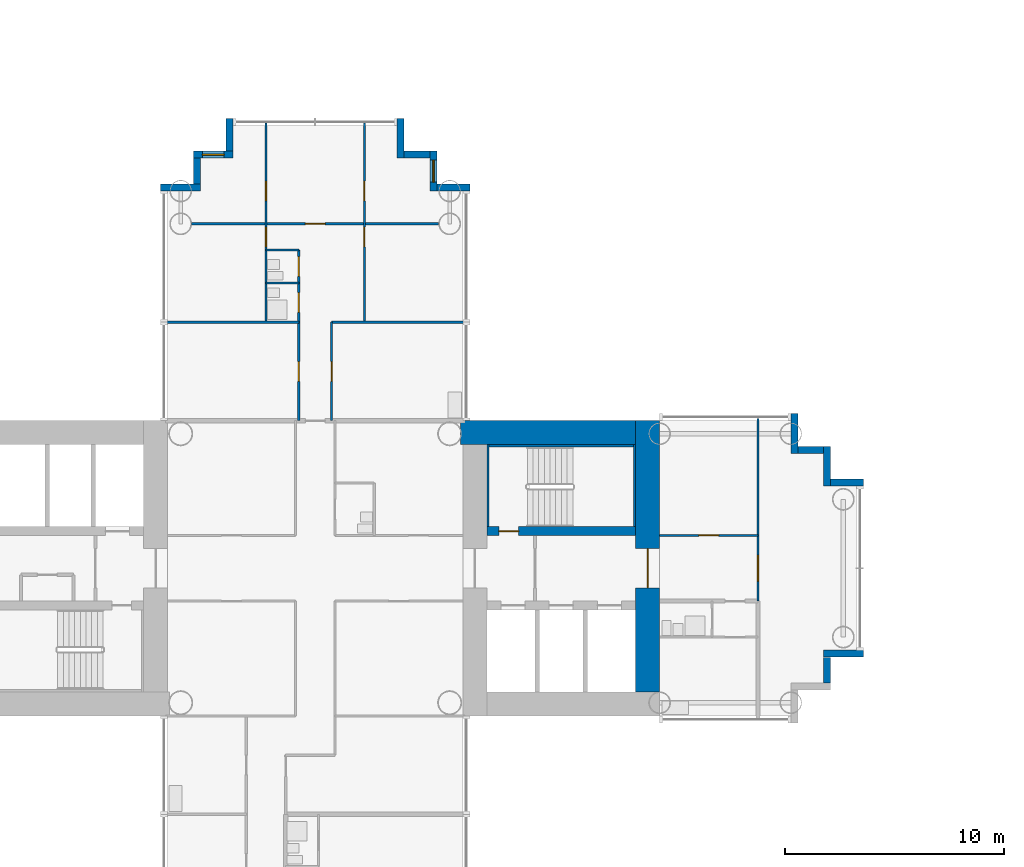
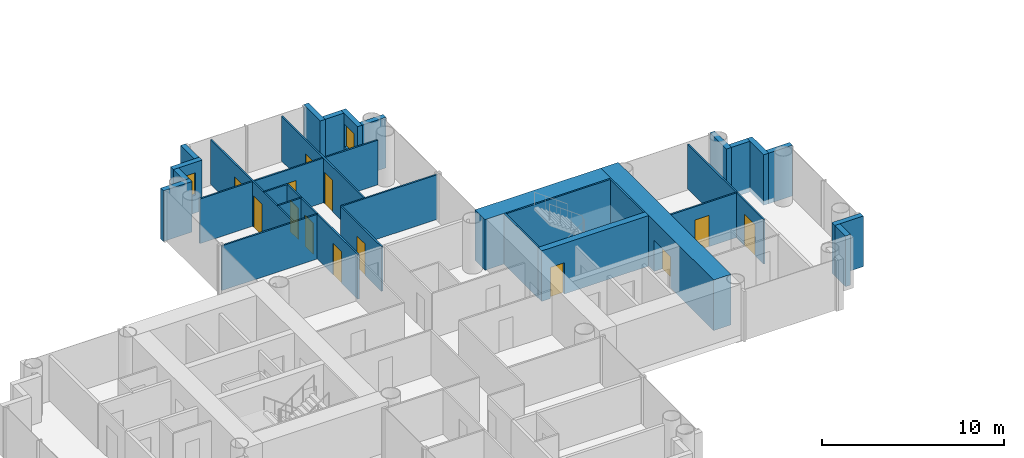
# One storey, part 11 of 21: 31 walls, 13 doors, 2 windows, 15 openings.
"""IFC4 building model written with IfcOpenShell, lengths in metres."""

from ifc_helpers import new_model, si_unit, direction, frame, frame_2d, origin, place, context, subcontext, project, spatial, rectangle, extrude, material, layer, layer_set, type_object, element, fill, save


model = new_model("IFC4")

# Units and contexts
model_context = context("Model", 3, precision=1e-05, world=origin(), true_north=direction((0.0, 1.0)))
body_context = subcontext(model_context, "Body", "Model", "MODEL_VIEW")
ifc_project = project(units=[si_unit("LENGTHUNIT", "METRE"), si_unit("AREAUNIT", "SQUARE_METRE"), si_unit("VOLUMEUNIT", "CUBIC_METRE"), si_unit("PLANEANGLEUNIT", "RADIAN"), si_unit("MASSUNIT", "GRAM", prefix="KILO")], contexts=[model_context])

# Site, building, storey
site_placement = place(None, origin())
site = spatial("IfcSite", under=ifc_project, at=site_placement, CompositionType="ELEMENT")
building_placement = place(site_placement, origin())
building = spatial("IfcBuilding", under=site, at=building_placement, Name="Ipe Terrace Towers", CompositionType="ELEMENT")
storey_placement = place(building_placement, frame((0.0, 0.0, 27.89990234375)))
storey = spatial("IfcBuildingStorey", under=building, at=storey_placement, Name="L06", CompositionType="ELEMENT", Elevation=27.89990234375)

# Walls
ifc_material_1 = material(Name="Concrete C40/50 with buff precast cladding", Category="concrete")
ifc_layer_1 = layer(ifc_material_1, 0.320068359375)
ifc_layer_set_1 = layer_set([ifc_layer_1], Name="BUFF CLADDING WALL 320")
wall_type_1 = type_object("IfcWallType", Name="BUFF CLADDING WALL 320", PredefinedType="STANDARD", material=ifc_layer_set_1)
wall_1_placement = place(storey_placement, frame((-12.590087890625, -5.25, -0.2998046875), z_axis=(0.0, 0.0, 1.0), x_axis=(0.0, 1.0, 0.0)))
element("IfcWall", 1, at=wall_1_placement, inside=storey, type_object=wall_type_1, Name="T1-W-L06-23a wall", PredefinedType="STANDARD", context=body_context, shape_type="SweptSolid", body=[
    extrude(rectangle(XDim=1.179931640625, YDim=0.320068359375, at=frame_2d((0.58984375, 0.0))), origin(), (0.0, 0.0, 1.0), 3.39990234375),
])
wall_2_placement = place(storey_placement, frame((-12.75, -3.909912109375, -0.2998046875), z_axis=(0.0, 0.0, 1.0), x_axis=(1.0, 0.0, 0.0)))
element("IfcWall", 2, at=wall_2_placement, inside=storey, type_object=wall_type_1, Name="T1-W-L06-24a wall", PredefinedType="STANDARD", context=body_context, shape_type="SweptSolid", body=[
    extrude(rectangle(XDim=1.820068359375, YDim=0.320068359375, at=frame_2d((0.91015625, 0.0))), origin(), (0.0, 0.0, 1.0), 3.39990234375),
])
wall_3_placement = place(storey_placement, frame((-10.929931640625, 3.909912109375, -0.2998046875), z_axis=(0.0, 0.0, 1.0), x_axis=(-1.0, 0.0, 0.0)))
element("IfcWall", 3, at=wall_3_placement, inside=storey, type_object=wall_type_1, Name="T1-W-L06-26a wall", PredefinedType="STANDARD", context=body_context, shape_type="SweptSolid", body=[
    extrude(rectangle(XDim=1.5, YDim=0.320068359375, at=frame_2d((0.75, 0.0))), origin(), (0.0, 0.0, 1.0), 3.39990234375),
])
wall_4_placement = place(storey_placement, frame((-12.590087890625, 3.75, -0.2998046875), z_axis=(0.0, 0.0, 1.0), x_axis=(0.0, 1.0, 0.0)))
element("IfcWall", 4, at=wall_4_placement, inside=storey, type_object=wall_type_1, Name="T1-W-L06-27a wall", PredefinedType="STANDARD", context=body_context, shape_type="SweptSolid", body=[
    extrude(rectangle(XDim=1.820068359375, YDim=0.320068359375, at=frame_2d((0.91015625, 0.0))), origin(), (0.0, 0.0, 1.0), 3.39990234375),
])
wall_5_placement = place(storey_placement, frame((-12.75, 5.409912109375, -0.2998046875), z_axis=(0.0, 0.0, 1.0), x_axis=(-1.0, 0.0, 0.0)))
element("IfcWall", 5, at=wall_5_placement, inside=storey, type_object=wall_type_1, Name="T1-W-L06-28a wall", PredefinedType="STANDARD", context=body_context, shape_type="SweptSolid", body=[
    extrude(rectangle(XDim=1.179931640625, YDim=0.320068359375, at=frame_2d((0.58984375, 0.0))), origin(), (0.0, 0.0, 1.0), 3.39990234375),
])
wall_6_placement = place(storey_placement, frame((-14.090087890625, 5.25, -0.2998046875), z_axis=(0.0, 0.0, 1.0), x_axis=(0.0, 1.0, 0.0)))
element("IfcWall", 6, at=wall_6_placement, inside=storey, type_object=wall_type_1, Name="T1-W-L06-29a wall", PredefinedType="STANDARD", context=body_context, shape_type="SweptSolid", body=[
    extrude(rectangle(XDim=1.820068359375, YDim=0.320068359375, at=frame_2d((0.91015625, 0.0))), origin(), (0.0, 0.0, 1.0), 3.39990234375),
])
wall_7_placement = place(storey_placement, frame((-28.929931640625, 17.409912109375, -0.2998046875), z_axis=(0.0, 0.0, 1.0), x_axis=(-1.0, 0.0, 0.0)))
element("IfcWall", 7, at=wall_7_placement, inside=storey, type_object=wall_type_1, Name="T1-W-L06-34a wall", PredefinedType="STANDARD", context=body_context, shape_type="SweptSolid", body=[
    extrude(rectangle(XDim=1.5, YDim=0.320068359375, at=frame_2d((0.75, 0.0))), origin(), (0.0, 0.0, 1.0), 3.39990234375),
])

# Wall, opening, window
wall_8_placement = place(storey_placement, frame((-30.590087890625, 17.25, -0.2998046875), z_axis=(0.0, 0.0, 1.0), x_axis=(0.0, 1.0, 0.0)))
wall_8 = element("IfcWall", 8, at=wall_8_placement, inside=storey, type_object=wall_type_1, Name="T1-W-L06-35a wall", PredefinedType="STANDARD", context=body_context, shape_type="SweptSolid", body=[
    extrude(rectangle(XDim=1.820068359375, YDim=0.320068359375, at=frame_2d((0.91015625, 0.0))), origin(), (0.0, 0.0, 1.0), 3.39990234375),
])
opening_1_placement = place(wall_8_placement, frame((0.409912109375, 0.0, 1.199951171875)))
opening_1 = element("IfcOpeningElement", 9, at=opening_1_placement, cuts=wall_8, Name="Opening T1-W-05-L06-02", PredefinedType="OPENING", context=body_context, shape_type="SweptSolid", body=[
    extrude(rectangle(XDim=1.0, YDim=1.5, at=frame_2d((0.5, 0.75))), frame((0.0, 0.169921875, 0.0), z_axis=(0.0, -1.0, 0.0), x_axis=(1.0, 0.0, 0.0)), (0.0, 0.0, 1.0), 0.340087890625),
])
ifc_material_2 = material(Name="Glass, clear laminated", Category="glass")
window_type = type_object("IfcWindowType", Name="DWELLING WINDOW 1000 x 1500", PartitioningType="SINGLE_PANEL", PredefinedType="WINDOW", material=ifc_material_2)
window_1_placement = place(opening_1_placement, origin())
window_1 = element("IfcWindow", 10, at=window_1_placement, inside=storey, type_object=window_type, Name="W-05 window", OverallHeight=1.5, OverallWidth=1.0, PartitioningType="SINGLE_PANEL", PredefinedType="WINDOW", context=body_context, shape_type="SweptSolid", body=[
    extrude(rectangle(XDim=1.0, YDim=1.5, at=frame_2d((0.5, 0.75))), frame((0.0, 0.030029296875, 0.0), z_axis=(0.0, -1.0, 0.0), x_axis=(1.0, 0.0, 0.0)), (0.0, 0.0, 1.0), 0.06005859375),
])
fill(opening_1, window_1)

# Walls
wall_9_placement = place(storey_placement, frame((-30.75, 18.909912109375, -0.2998046875), z_axis=(0.0, 0.0, 1.0), x_axis=(-1.0, 0.0, 0.0)))
element("IfcWall", 11, at=wall_9_placement, inside=storey, type_object=wall_type_1, Name="T1-W-L06-36a wall", PredefinedType="STANDARD", context=body_context, shape_type="SweptSolid", body=[
    extrude(rectangle(XDim=1.179931640625, YDim=0.320068359375, at=frame_2d((0.58984375, 0.0))), origin(), (0.0, 0.0, 1.0), 3.39990234375),
])
wall_10_placement = place(storey_placement, frame((-32.090087890625, 18.75, -0.2998046875), z_axis=(0.0, 0.0, 1.0), x_axis=(0.0, 1.0, 0.0)))
element("IfcWall", 12, at=wall_10_placement, inside=storey, type_object=wall_type_1, Name="T1-W-L06-37a wall", PredefinedType="STANDARD", context=body_context, shape_type="SweptSolid", body=[
    extrude(rectangle(XDim=1.820068359375, YDim=0.320068359375, at=frame_2d((0.91015625, 0.0))), origin(), (0.0, 0.0, 1.0), 3.39990234375),
])
wall_11_placement = place(storey_placement, frame((-39.909912109375, 20.570068359375, -0.2998046875), z_axis=(0.0, 0.0, 1.0), x_axis=(0.0, -1.0, 0.0)))
element("IfcWall", 13, at=wall_11_placement, inside=storey, type_object=wall_type_1, Name="T1-W-L06-39a wall", PredefinedType="STANDARD", context=body_context, shape_type="SweptSolid", body=[
    extrude(rectangle(XDim=1.5, YDim=0.320068359375, at=frame_2d((0.75, 0.0))), origin(), (0.0, 0.0, 1.0), 3.39990234375),
])

# Wall, opening, window
wall_12_placement = place(storey_placement, frame((-39.75, 18.909912109375, -0.2998046875), z_axis=(0.0, 0.0, 1.0), x_axis=(-1.0, 0.0, 0.0)))
wall_12 = element("IfcWall", 14, at=wall_12_placement, inside=storey, type_object=wall_type_1, Name="T1-W-L06-40a wall", PredefinedType="STANDARD", context=body_context, shape_type="SweptSolid", body=[
    extrude(rectangle(XDim=1.820068359375, YDim=0.320068359375, at=frame_2d((0.91015625, 0.0))), origin(), (0.0, 0.0, 1.0), 3.39990234375),
])
opening_2_placement = place(wall_12_placement, frame((0.409912109375, 0.0, 1.199951171875)))
opening_2 = element("IfcOpeningElement", 15, at=opening_2_placement, cuts=wall_12, Name="Opening T1-W-05-L06-01", PredefinedType="OPENING", context=body_context, shape_type="SweptSolid", body=[
    extrude(rectangle(XDim=1.0, YDim=1.5, at=frame_2d((0.5, 0.75))), frame((0.0, 0.169921875, 0.0), z_axis=(0.0, -1.0, 0.0), x_axis=(1.0, 0.0, 0.0)), (0.0, 0.0, 1.0), 0.340087890625),
])
window_2_placement = place(opening_2_placement, origin())
window_2 = element("IfcWindow", 16, at=window_2_placement, inside=storey, type_object=window_type, Name="W-05 window", OverallHeight=1.5, OverallWidth=1.0, PartitioningType="SINGLE_PANEL", PredefinedType="WINDOW", context=body_context, shape_type="SweptSolid", body=[
    extrude(rectangle(XDim=1.0, YDim=1.5, at=frame_2d((0.5, 0.75))), frame((0.0, 0.030029296875, 0.0), z_axis=(0.0, -1.0, 0.0), x_axis=(1.0, 0.0, 0.0)), (0.0, 0.0, 1.0), 0.06005859375),
])
fill(opening_2, window_2)

# Walls
wall_13_placement = place(storey_placement, frame((-41.409912109375, 18.75, -0.2998046875), z_axis=(0.0, 0.0, 1.0), x_axis=(0.0, -1.0, 0.0)))
element("IfcWall", 17, at=wall_13_placement, inside=storey, type_object=wall_type_1, Name="T1-W-L06-41a wall", PredefinedType="STANDARD", context=body_context, shape_type="SweptSolid", body=[
    extrude(rectangle(XDim=1.179931640625, YDim=0.320068359375, at=frame_2d((0.58984375, 0.0))), origin(), (0.0, 0.0, 1.0), 3.39990234375),
])
wall_14_placement = place(storey_placement, frame((-41.25, 17.409912109375, -0.2998046875), z_axis=(0.0, 0.0, 1.0), x_axis=(-1.0, 0.0, 0.0)))
element("IfcWall", 18, at=wall_14_placement, inside=storey, type_object=wall_type_1, Name="T1-W-L06-42a wall", PredefinedType="STANDARD", context=body_context, shape_type="SweptSolid", body=[
    extrude(rectangle(XDim=1.820068359375, YDim=0.320068359375, at=frame_2d((0.91015625, 0.0))), origin(), (0.0, 0.0, 1.0), 3.39990234375),
])

# Wall, openings, doors
ifc_material_3 = material(Name="Gypsum board partition", Category="plasterboard")
ifc_layer_2 = layer(ifc_material_3, 0.10009765625)
ifc_layer_set_2 = layer_set([ifc_layer_2], Name="Gypsum board partition 100 mm")
wall_type_2 = type_object("IfcWallType", Name="Gypsum board partition 100 mm", PredefinedType="PARTITIONING", material=ifc_layer_set_2)
wall_15_placement = place(storey_placement, frame((-38.25, 11.25, 0.0), z_axis=(0.0, 0.0, 1.0), x_axis=(0.0, 1.0, 0.0)))
wall_15 = element("IfcWall", 19, at=wall_15_placement, inside=storey, type_object=wall_type_2, Name="Gypsum board partition T1 L06 W07", PredefinedType="PARTITIONING", context=body_context, shape_type="SweptSolid", body=[
    extrude(rectangle(XDim=9.10009765625, YDim=0.10009765625, at=frame_2d((4.550048828125, 0.0))), origin(), (0.0, 0.0, 1.0), 3.0),
])
opening_3_placement = place(wall_15_placement, frame((3.449951171875, 0.0, 0.0)))
opening_3 = element("IfcOpeningElement", 20, at=opening_3_placement, cuts=wall_15, Name="Opening T1-Z1A-11", PredefinedType="OPENING", context=body_context, shape_type="SweptSolid", body=[
    extrude(rectangle(XDim=0.89990234375, YDim=2.10009765625, at=frame_2d((0.449951171875, 1.050048828125))), frame((0.0, 0.06005859375, 0.0), z_axis=(0.0, -1.0, 0.0), x_axis=(1.0, 0.0, 0.0)), (0.0, 0.0, 1.0), 0.1201171875),
])
opening_4_placement = place(wall_15_placement, frame((5.550048828125, 0.0, 0.0)))
opening_4 = element("IfcOpeningElement", 21, at=opening_4_placement, cuts=wall_15, Name="Opening T1-Z1A-14", PredefinedType="OPENING", context=body_context, shape_type="SweptSolid", body=[
    extrude(rectangle(XDim=0.89990234375, YDim=2.10009765625, at=frame_2d((0.449951171875, 1.050048828125))), frame((0.0, 0.06005859375, 0.0), z_axis=(0.0, -1.0, 0.0), x_axis=(1.0, 0.0, 0.0)), (0.0, 0.0, 1.0), 0.1201171875),
])
ifc_material_4 = material(Name="Timber door leaf", Category="wood")
door_type_1 = type_object("IfcDoorType", Name="Bedroom door 900 x 2100", OperationType="NOTDEFINED", PredefinedType="DOOR", material=ifc_material_4)
door_1_placement = place(opening_3_placement, origin())
door_1 = element("IfcDoor", 22, at=door_1_placement, inside=storey, type_object=door_type_1, Name="Bedroom door T1-Z1A-11", OperationType="SINGLE_SWING_RIGHT", OverallHeight=2.10009765625, OverallWidth=0.89990234375, PredefinedType="DOOR", context=body_context, shape_type="SweptSolid", body=[
    extrude(rectangle(XDim=0.89990234375, YDim=2.10009765625, at=frame_2d((0.449951171875, 1.050048828125))), frame((0.0, 0.02490234375, 0.0), z_axis=(0.0, -1.0, 0.0), x_axis=(1.0, 0.0, 0.0)), (0.0, 0.0, 1.0), 0.050048828125),
])
fill(opening_3, door_1)
door_2_placement = place(opening_4_placement, origin())
door_2 = element("IfcDoor", 23, at=door_2_placement, inside=storey, type_object=door_type_1, Name="Bedroom door T1-Z1A-14", OperationType="SINGLE_SWING_LEFT", OverallHeight=2.10009765625, OverallWidth=0.89990234375, PredefinedType="DOOR", context=body_context, shape_type="SweptSolid", body=[
    extrude(rectangle(XDim=0.89990234375, YDim=2.10009765625, at=frame_2d((0.449951171875, 1.050048828125))), frame((0.0, 0.02490234375, 0.0), z_axis=(0.0, -1.0, 0.0), x_axis=(1.0, 0.0, 0.0)), (0.0, 0.0, 1.0), 0.050048828125),
])
fill(opening_4, door_2)

wall_16_placement = place(storey_placement, frame((-36.75, 6.75, 0.0), z_axis=(0.0, 0.0, 1.0), x_axis=(0.0, 1.0, 0.0)))
wall_16 = element("IfcWall", 24, at=wall_16_placement, inside=storey, type_object=wall_type_2, Name="Gypsum board partition T1 L06 W12", PredefinedType="PARTITIONING", context=body_context, shape_type="SweptSolid", body=[
    extrude(rectangle(XDim=7.800048828125, YDim=0.10009765625, at=frame_2d((3.89990234375, 0.0))), origin(), (0.0, 0.0, 1.0), 3.0),
])
opening_5_placement = place(wall_16_placement, frame((1.800048828125, 0.0, 0.0)))
opening_5 = element("IfcOpeningElement", 25, at=opening_5_placement, cuts=wall_16, Name="Opening T1-Z1A-06", PredefinedType="OPENING", context=body_context, shape_type="SweptSolid", body=[
    extrude(rectangle(XDim=0.89990234375, YDim=2.10009765625, at=frame_2d((0.449951171875, 1.050048828125))), frame((0.0, 0.06005859375, 0.0), z_axis=(0.0, -1.0, 0.0), x_axis=(1.0, 0.0, 0.0)), (0.0, 0.0, 1.0), 0.1201171875),
])
opening_6_placement = place(wall_16_placement, frame((4.949951171875, 0.0, 0.0)))
opening_6 = element("IfcOpeningElement", 26, at=opening_6_placement, cuts=wall_16, Name="Opening T1-Z1A-09", PredefinedType="OPENING", context=body_context, shape_type="SweptSolid", body=[
    extrude(rectangle(XDim=0.89990234375, YDim=2.10009765625, at=frame_2d((0.449951171875, 1.050048828125))), frame((0.0, 0.06005859375, 0.0), z_axis=(0.0, -1.0, 0.0), x_axis=(1.0, 0.0, 0.0)), (0.0, 0.0, 1.0), 0.1201171875),
])
opening_7_placement = place(wall_16_placement, frame((6.60009765625, 0.0, 0.0)))
opening_7 = element("IfcOpeningElement", 27, at=opening_7_placement, cuts=wall_16, Name="Opening T1-Z1A-10", PredefinedType="OPENING", context=body_context, shape_type="SweptSolid", body=[
    extrude(rectangle(XDim=0.89990234375, YDim=2.10009765625, at=frame_2d((0.449951171875, 1.050048828125))), frame((0.0, 0.06005859375, 0.0), z_axis=(0.0, -1.0, 0.0), x_axis=(1.0, 0.0, 0.0)), (0.0, 0.0, 1.0), 0.1201171875),
])
ifc_material_5 = material(Name="Timber door leaf", Category="wood")
door_type_2 = type_object("IfcDoorType", Name="Bathroom door 900 x 2100", OperationType="NOTDEFINED", PredefinedType="DOOR", material=ifc_material_5)
door_3_placement = place(opening_6_placement, origin())
door_3 = element("IfcDoor", 28, at=door_3_placement, inside=storey, type_object=door_type_2, Name="Bathroom door T1-Z1A-09", OperationType="SINGLE_SWING_LEFT", OverallHeight=2.10009765625, OverallWidth=0.89990234375, PredefinedType="DOOR", context=body_context, shape_type="SweptSolid", body=[
    extrude(rectangle(XDim=0.89990234375, YDim=2.10009765625, at=frame_2d((0.449951171875, 1.050048828125))), frame((0.0, 0.02490234375, 0.0), z_axis=(0.0, -1.0, 0.0), x_axis=(1.0, 0.0, 0.0)), (0.0, 0.0, 1.0), 0.050048828125),
])
fill(opening_6, door_3)
door_4_placement = place(opening_7_placement, origin())
door_4 = element("IfcDoor", 29, at=door_4_placement, inside=storey, type_object=door_type_2, Name="Bathroom door T1-Z1A-10", OperationType="SINGLE_SWING_LEFT", OverallHeight=2.10009765625, OverallWidth=0.89990234375, PredefinedType="DOOR", context=body_context, shape_type="SweptSolid", body=[
    extrude(rectangle(XDim=0.89990234375, YDim=2.10009765625, at=frame_2d((0.449951171875, 1.050048828125))), frame((0.0, 0.02490234375, 0.0), z_axis=(0.0, -1.0, 0.0), x_axis=(1.0, 0.0, 0.0)), (0.0, 0.0, 1.0), 0.050048828125),
])
fill(opening_7, door_4)
ifc_material_6 = material(Name="Timber door leaf", Category="wood")
door_type_3 = type_object("IfcDoorType", Name="Lounge door 900 x 2100", OperationType="NOTDEFINED", PredefinedType="DOOR", material=ifc_material_6)
door_5_placement = place(opening_5_placement, origin())
door_5 = element("IfcDoor", 30, at=door_5_placement, inside=storey, type_object=door_type_3, Name="Lounge door T1-Z1A-06", OperationType="SINGLE_SWING_RIGHT", OverallHeight=2.10009765625, OverallWidth=0.89990234375, PredefinedType="DOOR", context=body_context, shape_type="SweptSolid", body=[
    extrude(rectangle(XDim=0.89990234375, YDim=2.10009765625, at=frame_2d((0.449951171875, 1.050048828125))), frame((0.0, 0.02490234375, 0.0), z_axis=(0.0, -1.0, 0.0), x_axis=(1.0, 0.0, 0.0)), (0.0, 0.0, 1.0), 0.050048828125),
])
fill(opening_5, door_5)

# Wall, opening, door
wall_17_placement = place(storey_placement, frame((-35.25, 6.75, 0.0), z_axis=(0.0, 0.0, 1.0), x_axis=(0.0, 1.0, 0.0)))
wall_17 = element("IfcWall", 31, at=wall_17_placement, inside=storey, type_object=wall_type_2, Name="Gypsum board partition T1 L06 W14", PredefinedType="PARTITIONING", context=body_context, shape_type="SweptSolid", body=[
    extrude(rectangle(XDim=4.5, YDim=0.10009765625, at=frame_2d((2.25, 0.0))), origin(), (0.0, 0.0, 1.0), 3.0),
])
opening_8_placement = place(wall_17_placement, frame((1.800048828125, 0.0, 0.0)))
opening_8 = element("IfcOpeningElement", 32, at=opening_8_placement, cuts=wall_17, Name="Opening T1-Z1A-07", PredefinedType="OPENING", context=body_context, shape_type="SweptSolid", body=[
    extrude(rectangle(XDim=0.89990234375, YDim=2.10009765625, at=frame_2d((0.449951171875, 1.050048828125))), frame((0.0, 0.06005859375, 0.0), z_axis=(0.0, -1.0, 0.0), x_axis=(1.0, 0.0, 0.0)), (0.0, 0.0, 1.0), 0.1201171875),
])
door_6_placement = place(opening_8_placement, origin())
door_6 = element("IfcDoor", 33, at=door_6_placement, inside=storey, type_object=door_type_3, Name="Lounge door T1-Z1A-07", OperationType="SINGLE_SWING_RIGHT", OverallHeight=2.10009765625, OverallWidth=0.89990234375, PredefinedType="DOOR", context=body_context, shape_type="SweptSolid", body=[
    extrude(rectangle(XDim=0.89990234375, YDim=2.10009765625, at=frame_2d((0.449951171875, 1.050048828125))), frame((0.0, 0.02490234375, 0.0), z_axis=(0.0, -1.0, 0.0), x_axis=(1.0, 0.0, 0.0)), (0.0, 0.0, 1.0), 0.050048828125),
])
fill(opening_8, door_6)

# Wall, openings, doors
wall_18_placement = place(storey_placement, frame((-33.75, 11.25, 0.0), z_axis=(0.0, 0.0, 1.0), x_axis=(0.0, 1.0, 0.0)))
wall_18 = element("IfcWall", 34, at=wall_18_placement, inside=storey, type_object=wall_type_2, Name="Gypsum board partition T1 L06 W17", PredefinedType="PARTITIONING", context=body_context, shape_type="SweptSolid", body=[
    extrude(rectangle(XDim=9.10009765625, YDim=0.10009765625, at=frame_2d((4.550048828125, 0.0))), origin(), (0.0, 0.0, 1.0), 3.0),
])
opening_9_placement = place(wall_18_placement, frame((3.449951171875, 0.0, 0.0)))
opening_9 = element("IfcOpeningElement", 35, at=opening_9_placement, cuts=wall_18, Name="Opening T1-Z1A-12", PredefinedType="OPENING", context=body_context, shape_type="SweptSolid", body=[
    extrude(rectangle(XDim=0.89990234375, YDim=2.10009765625, at=frame_2d((0.449951171875, 1.050048828125))), frame((0.0, 0.06005859375, 0.0), z_axis=(0.0, -1.0, 0.0), x_axis=(1.0, 0.0, 0.0)), (0.0, 0.0, 1.0), 0.1201171875),
])
opening_10_placement = place(wall_18_placement, frame((5.550048828125, 0.0, 0.0)))
opening_10 = element("IfcOpeningElement", 36, at=opening_10_placement, cuts=wall_18, Name="Opening T1-Z1A-15", PredefinedType="OPENING", context=body_context, shape_type="SweptSolid", body=[
    extrude(rectangle(XDim=0.89990234375, YDim=2.10009765625, at=frame_2d((0.449951171875, 1.050048828125))), frame((0.0, 0.06005859375, 0.0), z_axis=(0.0, -1.0, 0.0), x_axis=(1.0, 0.0, 0.0)), (0.0, 0.0, 1.0), 0.1201171875),
])
door_7_placement = place(opening_9_placement, origin())
door_7 = element("IfcDoor", 37, at=door_7_placement, inside=storey, type_object=door_type_1, Name="Bedroom door T1-Z1A-12", OperationType="SINGLE_SWING_LEFT", OverallHeight=2.10009765625, OverallWidth=0.89990234375, PredefinedType="DOOR", context=body_context, shape_type="SweptSolid", body=[
    extrude(rectangle(XDim=0.89990234375, YDim=2.10009765625, at=frame_2d((0.449951171875, 1.050048828125))), frame((0.0, 0.02490234375, 0.0), z_axis=(0.0, -1.0, 0.0), x_axis=(1.0, 0.0, 0.0)), (0.0, 0.0, 1.0), 0.050048828125),
])
fill(opening_9, door_7)
door_8_placement = place(opening_10_placement, origin())
door_8 = element("IfcDoor", 38, at=door_8_placement, inside=storey, type_object=door_type_1, Name="Bedroom door T1-Z1A-15", OperationType="SINGLE_SWING_RIGHT", OverallHeight=2.10009765625, OverallWidth=0.89990234375, PredefinedType="DOOR", context=body_context, shape_type="SweptSolid", body=[
    extrude(rectangle(XDim=0.89990234375, YDim=2.10009765625, at=frame_2d((0.449951171875, 1.050048828125))), frame((0.0, 0.02490234375, 0.0), z_axis=(0.0, -1.0, 0.0), x_axis=(1.0, 0.0, 0.0)), (0.0, 0.0, 1.0), 0.050048828125),
])
fill(opening_10, door_8)

# Wall, opening, door
wall_19_placement = place(storey_placement, frame((-15.75, -1.5, 0.0), z_axis=(0.0, 0.0, 1.0), x_axis=(0.0, 1.0, 0.0)))
wall_19 = element("IfcWall", 39, at=wall_19_placement, inside=storey, type_object=wall_type_2, Name="Gypsum board partition T1 L06 W20", PredefinedType="PARTITIONING", context=body_context, shape_type="SweptSolid", body=[
    extrude(rectangle(XDim=8.35009765625, YDim=0.10009765625, at=frame_2d((4.175048828125, 0.0))), origin(), (0.0, 0.0, 1.0), 3.0),
])
opening_11_placement = place(wall_19_placement, frame((0.89990234375, 0.0, 0.0)))
opening_11 = element("IfcOpeningElement", 40, at=opening_11_placement, cuts=wall_19, Name="Opening T1-Z1A-26", PredefinedType="OPENING", context=body_context, shape_type="SweptSolid", body=[
    extrude(rectangle(XDim=1.199951171875, YDim=2.10009765625, at=frame_2d((0.60009765625, 1.050048828125))), frame((0.0, 0.06005859375, 0.0), z_axis=(0.0, -1.0, 0.0), x_axis=(1.0, 0.0, 0.0)), (0.0, 0.0, 1.0), 0.1201171875),
])
ifc_material_7 = material(Name="Timber door leaf", Category="wood")
door_type_4 = type_object("IfcDoorType", Name="Lounge door 1200 x 2100", OperationType="NOTDEFINED", PredefinedType="DOOR", material=ifc_material_7)
door_9_placement = place(opening_11_placement, origin())
door_9 = element("IfcDoor", 41, at=door_9_placement, inside=storey, type_object=door_type_4, Name="Lounge door T1-Z1A-26", OperationType="SINGLE_SWING_LEFT", OverallHeight=2.10009765625, OverallWidth=1.199951171875, PredefinedType="DOOR", context=body_context, shape_type="SweptSolid", body=[
    extrude(rectangle(XDim=1.199951171875, YDim=2.10009765625, at=frame_2d((0.60009765625, 1.050048828125))), frame((0.0, 0.02490234375, 0.0), z_axis=(0.0, -1.0, 0.0), x_axis=(1.0, 0.0, 0.0)), (0.0, 0.0, 1.0), 0.050048828125),
])
fill(opening_11, door_9)

wall_20_placement = place(storey_placement, frame((-20.25, 1.5, 0.0), z_axis=(0.0, 0.0, 1.0), x_axis=(1.0, 0.0, 0.0)))
wall_20 = element("IfcWall", 42, at=wall_20_placement, inside=storey, type_object=wall_type_2, Name="Gypsum board partition T1 L06 W38", PredefinedType="PARTITIONING", context=body_context, shape_type="SweptSolid", body=[
    extrude(rectangle(XDim=4.5, YDim=0.10009765625, at=frame_2d((2.25, 0.0))), origin(), (0.0, 0.0, 1.0), 3.0),
])
opening_12_placement = place(wall_20_placement, frame((1.800048828125, 0.0, 0.0)))
opening_12 = element("IfcOpeningElement", 43, at=opening_12_placement, cuts=wall_20, Name="Opening T1-Z1A-22", PredefinedType="OPENING", context=body_context, shape_type="SweptSolid", body=[
    extrude(rectangle(XDim=0.89990234375, YDim=2.10009765625, at=frame_2d((0.449951171875, 1.050048828125))), frame((0.0, 0.06005859375, 0.0), z_axis=(0.0, -1.0, 0.0), x_axis=(1.0, 0.0, 0.0)), (0.0, 0.0, 1.0), 0.1201171875),
])
door_10_placement = place(opening_12_placement, origin())
door_10 = element("IfcDoor", 44, at=door_10_placement, inside=storey, type_object=door_type_3, Name="Lounge door T1-Z1A-22", OperationType="SINGLE_SWING_LEFT", OverallHeight=2.10009765625, OverallWidth=0.89990234375, PredefinedType="DOOR", context=body_context, shape_type="SweptSolid", body=[
    extrude(rectangle(XDim=0.89990234375, YDim=2.10009765625, at=frame_2d((0.449951171875, 1.050048828125))), frame((0.0, 0.02490234375, 0.0), z_axis=(0.0, -1.0, 0.0), x_axis=(1.0, 0.0, 0.0)), (0.0, 0.0, 1.0), 0.050048828125),
])
fill(opening_12, door_10)

# Walls
for number, where, z_axis, x_axis, name in (
    (45, (-42.85009765625, 11.25, 0.0), (0.0, 0.0, 1.0), (1.0, 0.0, 0.0), "Gypsum board partition T1 L06 W43"),
    (46, (-35.25, 11.25, 0.0), (0.0, 0.0, 1.0), (1.0, 0.0, 0.0), "Gypsum board partition T1 L06 W44"),
):
    element("IfcWall", number, at=place(storey_placement, frame(where, z_axis=z_axis, x_axis=x_axis)), inside=storey, type_object=wall_type_2, Name=name, PredefinedType="PARTITIONING", context=body_context, shape_type="SweptSolid", body=[
        extrude(rectangle(XDim=6.10009765625, YDim=0.10009765625, at=frame_2d((3.050048828125, 0.0))), origin(), (0.0, 0.0, 1.0), 3.0),
    ])
for number, where, z_axis, x_axis, name in (
    (47, (-38.25, 13.050048828125, 0.0), (0.0, 0.0, 1.0), (1.0, 0.0, 0.0), "Gypsum board partition T1 L06 W45"),
    (48, (-38.25, 14.550048828125, 0.0), (0.0, 0.0, 1.0), (1.0, 0.0, 0.0), "Gypsum board partition T1 L06 W46"),
):
    element("IfcWall", number, at=place(storey_placement, frame(where, z_axis=z_axis, x_axis=x_axis)), inside=storey, type_object=wall_type_2, Name=name, PredefinedType="PARTITIONING", context=body_context, shape_type="SweptSolid", body=[
        extrude(rectangle(XDim=1.5, YDim=0.10009765625, at=frame_2d((0.75, 0.0))), origin(), (0.0, 0.0, 1.0), 3.0),
    ])

# Wall, opening, door
wall_21_placement = place(storey_placement, frame((-41.64990234375, 15.75, 0.0), z_axis=(0.0, 0.0, 1.0), x_axis=(1.0, 0.0, 0.0)))
wall_21 = element("IfcWall", 49, at=wall_21_placement, inside=storey, type_object=wall_type_2, Name="Gypsum board partition T1 L06 W47", PredefinedType="PARTITIONING", context=body_context, shape_type="SweptSolid", body=[
    extrude(rectangle(XDim=11.2998046875, YDim=0.10009765625, at=frame_2d((5.64990234375, 0.0))), origin(), (0.0, 0.0, 1.0), 3.0),
])
opening_13_placement = place(wall_21_placement, frame((5.199951171875, 0.0, 0.0)))
opening_13 = element("IfcOpeningElement", 50, at=opening_13_placement, cuts=wall_21, Name="Opening T1-Z1A-13", PredefinedType="OPENING", context=body_context, shape_type="SweptSolid", body=[
    extrude(rectangle(XDim=0.89990234375, YDim=2.10009765625, at=frame_2d((0.449951171875, 1.050048828125))), frame((0.0, 0.06005859375, 0.0), z_axis=(0.0, -1.0, 0.0), x_axis=(1.0, 0.0, 0.0)), (0.0, 0.0, 1.0), 0.1201171875),
])
door_11_placement = place(opening_13_placement, origin())
door_11 = element("IfcDoor", 51, at=door_11_placement, inside=storey, type_object=door_type_3, Name="Lounge door T1-Z1A-13", OperationType="SINGLE_SWING_LEFT", OverallHeight=2.10009765625, OverallWidth=0.89990234375, PredefinedType="DOOR", context=body_context, shape_type="SweptSolid", body=[
    extrude(rectangle(XDim=0.89990234375, YDim=2.10009765625, at=frame_2d((0.449951171875, 1.050048828125))), frame((0.0, 0.02490234375, 0.0), z_axis=(0.0, -1.0, 0.0), x_axis=(1.0, 0.0, 0.0)), (0.0, 0.0, 1.0), 0.050048828125),
])
fill(opening_13, door_11)

# Walls
ifc_material_8 = material(Name="Concrete C60/75", Category="concrete")
ifc_layer_3 = layer(ifc_material_8, 0.10009765625)
ifc_layer_set_3 = layer_set([ifc_layer_3], Name="RW100 CORE INFILL WALL 100 C60-75")
wall_type_3 = type_object("IfcWallType", Name="RW100 CORE INFILL WALL 100 C60-75", PredefinedType="SHEAR", material=ifc_layer_set_3)
wall_22_placement = place(storey_placement, frame((-21.39990234375, 1.89990234375, 0.0), z_axis=(0.0, 0.0, 1.0), x_axis=(0.0, 1.0, 0.0)))
element("IfcWall", 52, at=wall_22_placement, inside=storey, type_object=wall_type_3, Name="Core infill wall T1-C1-far", PredefinedType="SHEAR", context=body_context, shape_type="SweptSolid", body=[
    extrude(rectangle(XDim=3.75, YDim=0.10009765625, at=frame_2d((1.875, 0.0))), origin(), (0.0, 0.0, 1.0), 3.400146484375),
])
wall_23_placement = place(storey_placement, frame((-28.050048828125, 5.60009765625, 0.0), z_axis=(0.0, 0.0, 1.0), x_axis=(1.0, 0.0, 0.0)))
element("IfcWall", 53, at=wall_23_placement, inside=storey, type_object=wall_type_3, Name="Core infill wall T1-C1-back", PredefinedType="SHEAR", context=body_context, shape_type="SweptSolid", body=[
    extrude(rectangle(XDim=6.60009765625, YDim=0.10009765625, at=frame_2d((3.300048828125, 0.0))), origin(), (0.0, 0.0, 1.0), 3.400146484375),
])
wall_24_placement = place(storey_placement, frame((-28.10009765625, 1.89990234375, 0.0), z_axis=(0.0, 0.0, 1.0), x_axis=(0.0, 1.0, 0.0)))
element("IfcWall", 54, at=wall_24_placement, inside=storey, type_object=wall_type_3, Name="Core infill wall T1-C1-near", PredefinedType="SHEAR", context=body_context, shape_type="SweptSolid", body=[
    extrude(rectangle(XDim=3.75, YDim=0.10009765625, at=frame_2d((1.875, 0.0))), origin(), (0.0, 0.0, 1.0), 3.400146484375),
])

# Wall, opening, door
ifc_material_9 = material(Name="Concrete C60/75", Category="concrete")
ifc_layer_4 = layer(ifc_material_9, 1.10009765625)
ifc_layer_set_4 = layer_set([ifc_layer_4], Name="RW1100 CORE WALL 1100 C60-75")
wall_type_4 = type_object("IfcWallType", Name="RW1100 CORE WALL 1100 C60-75", PredefinedType="SHEAR", material=ifc_layer_set_4)
wall_25_placement = place(storey_placement, frame((-20.800048828125, -5.64990234375, 0.0), z_axis=(0.0, 0.0, 1.0), x_axis=(0.0, 1.0, 0.0)))
wall_25 = element("IfcWall", 55, at=wall_25_placement, inside=storey, type_object=wall_type_4, Name="Core wall T1-C1-Z1-W02", PredefinedType="SHEAR", context=body_context, shape_type="SweptSolid", body=[
    extrude(rectangle(XDim=12.39990234375, YDim=1.10009765625, at=frame_2d((6.199951171875, 0.0))), origin(), (0.0, 0.0, 1.0), 3.400146484375),
])
opening_14_placement = place(wall_25_placement, frame((4.75, 0.0, 0.0)))
opening_14 = element("IfcOpeningElement", 56, at=opening_14_placement, cuts=wall_25, Name="Opening T1C1-FD", PredefinedType="OPENING", context=body_context, shape_type="SweptSolid", body=[
    extrude(rectangle(XDim=1.800048828125, YDim=2.10009765625, at=frame_2d((0.89990234375, 1.050048828125))), frame((0.0, 0.56005859375, 0.0), z_axis=(0.0, -1.0, 0.0), x_axis=(1.0, 0.0, 0.0)), (0.0, 0.0, 1.0), 1.1201171875),
])
ifc_material_10 = material(Name="Fire-rated timber door leaf", Category="wood")
door_type_5 = type_object("IfcDoorType", Name="Fire door 1800 x 2100 FD30S", OperationType="NOTDEFINED", PredefinedType="DOOR", material=ifc_material_10)
door_12_placement = place(opening_14_placement, origin())
door_12 = element("IfcDoor", 57, at=door_12_placement, inside=storey, type_object=door_type_5, Name="Fire door T1C1-FD", OperationType="SINGLE_SWING_LEFT", OverallHeight=2.10009765625, OverallWidth=1.800048828125, PredefinedType="DOOR", context=body_context, shape_type="SweptSolid", body=[
    extrude(rectangle(XDim=1.800048828125, YDim=2.10009765625, at=frame_2d((0.89990234375, 1.050048828125))), frame((0.0, 0.02490234375, 0.0), z_axis=(0.0, -1.0, 0.0), x_axis=(1.0, 0.0, 0.0)), (0.0, 0.0, 1.0), 0.050048828125),
])
fill(opening_14, door_12)

# Wall
wall_26_placement = place(storey_placement, frame((-21.35009765625, 6.199951171875, 0.0), z_axis=(0.0, 0.0, 1.0), x_axis=(-1.0, 0.0, 0.0)))
element("IfcWall", 58, at=wall_26_placement, inside=storey, type_object=wall_type_4, Name="Core wall T1-C1-Z1-W03", PredefinedType="SHEAR", context=body_context, shape_type="SweptSolid", body=[
    extrude(rectangle(XDim=7.997802734375, YDim=1.10009765625, at=frame_2d((3.9990234375, 0.0))), origin(), (0.0, 0.0, 1.0), 3.400146484375),
])

# Wall, opening, door
ifc_material_11 = material(Name="Concrete C60/75", Category="concrete")
ifc_layer_5 = layer(ifc_material_11, 0.39990234375)
ifc_layer_set_5 = layer_set([ifc_layer_5], Name="RW400 CORE SPINE WALL 400 C60-75")
wall_type_5 = type_object("IfcWallType", Name="RW400 CORE SPINE WALL 400 C60-75", PredefinedType="SHEAR", material=ifc_layer_set_5)
wall_27_placement = place(storey_placement, frame((-28.14990234375, 1.699951171875, 0.0), z_axis=(0.0, 0.0, 1.0), x_axis=(1.0, 0.0, 0.0)))
wall_27 = element("IfcWall", 59, at=wall_27_placement, inside=storey, type_object=wall_type_5, Name="Core spine wall T1-C1-Z1-SW2", PredefinedType="SHEAR", context=body_context, shape_type="SweptSolid", body=[
    extrude(rectangle(XDim=6.7998046875, YDim=0.39990234375, at=frame_2d((3.39990234375, 0.0))), origin(), (0.0, 0.0, 1.0), 3.400146484375),
])
opening_15_placement = place(wall_27_placement, frame((0.550048828125, 0.0, 0.0)))
opening_15 = element("IfcOpeningElement", 60, at=opening_15_placement, cuts=wall_27, Name="Opening T1C1-SD", PredefinedType="OPENING", context=body_context, shape_type="SweptSolid", body=[
    extrude(rectangle(XDim=0.89990234375, YDim=2.10009765625, at=frame_2d((0.449951171875, 1.050048828125))), frame((0.0, 0.2099609375, 0.0), z_axis=(0.0, -1.0, 0.0), x_axis=(1.0, 0.0, 0.0)), (0.0, 0.0, 1.0), 0.419921875),
])
ifc_material_12 = material(Name="Fire-rated timber door leaf", Category="wood")
door_type_6 = type_object("IfcDoorType", Name="Stair door 900 x 2100 FD60", OperationType="NOTDEFINED", PredefinedType="DOOR", material=ifc_material_12)
door_13_placement = place(opening_15_placement, origin())
door_13 = element("IfcDoor", 61, at=door_13_placement, inside=storey, type_object=door_type_6, Name="Stair door T1C1-SD", OperationType="SINGLE_SWING_LEFT", OverallHeight=2.10009765625, OverallWidth=0.89990234375, PredefinedType="DOOR", context=body_context, shape_type="SweptSolid", body=[
    extrude(rectangle(XDim=0.89990234375, YDim=2.10009765625, at=frame_2d((0.449951171875, 1.050048828125))), frame((0.0, 0.02490234375, 0.0), z_axis=(0.0, -1.0, 0.0), x_axis=(1.0, 0.0, 0.0)), (0.0, 0.0, 1.0), 0.050048828125),
])
fill(opening_15, door_13)

save(model, "model.ifc")
